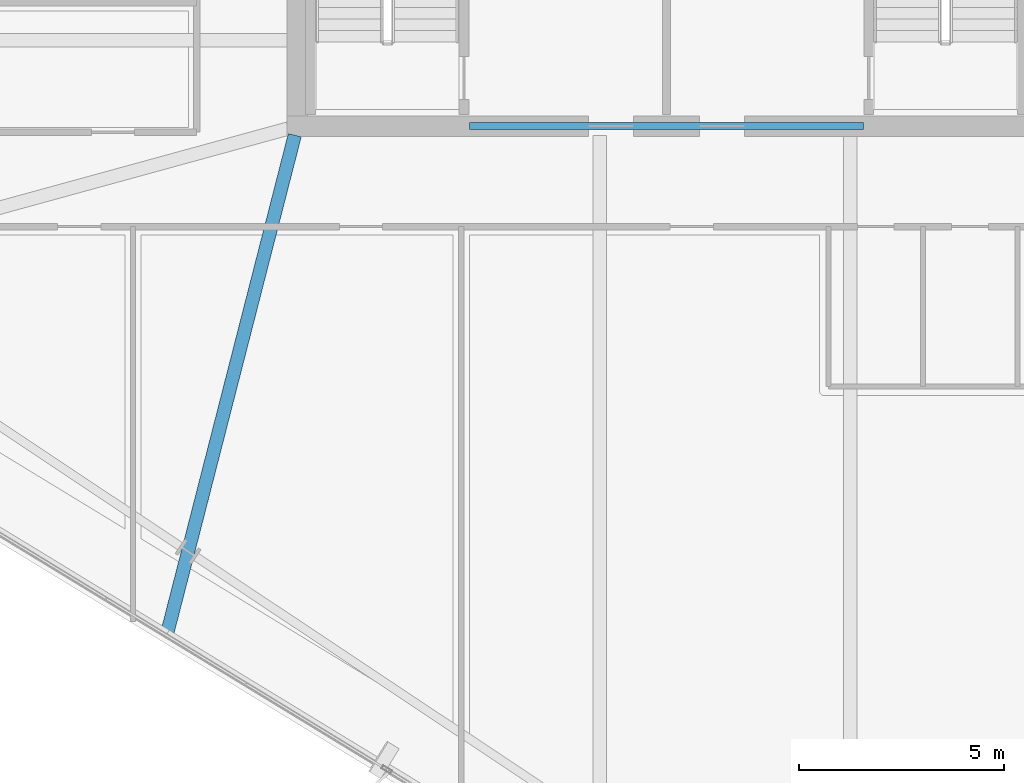
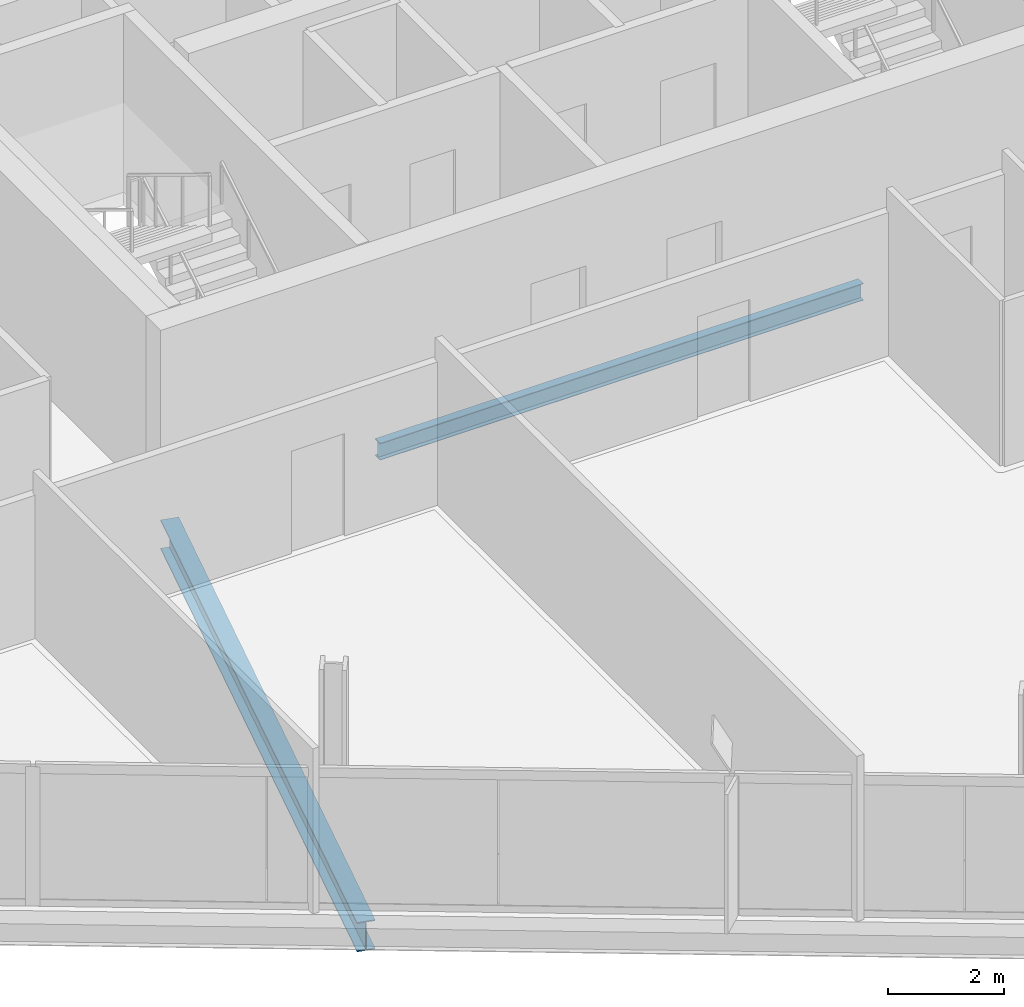
# One storey, part 7 of 28: 2 beams.
"""IFC4 building model written with IfcOpenShell, lengths in metres."""

from ifc_helpers import new_model, si_unit, direction, frame, origin, origin_2d, place, context, subcontext, project, spatial, i_section, extrude, material, material_profile, profile_set, type_object, element, save


model = new_model("IFC4")

# Units and contexts
model_context = context("Model", 3, precision=1e-05, world=origin(), true_north=direction((0.0, 1.0)))
body_context = subcontext(model_context, "Body", "Model", "MODEL_VIEW")
ifc_project = project(units=[si_unit("LENGTHUNIT", "METRE"), si_unit("AREAUNIT", "SQUARE_METRE"), si_unit("VOLUMEUNIT", "CUBIC_METRE"), si_unit("PLANEANGLEUNIT", "RADIAN"), si_unit("MASSUNIT", "GRAM", prefix="KILO")], contexts=[model_context])

# Site, building, storey
site_placement = place(None, origin())
site = spatial("IfcSite", under=ifc_project, at=site_placement, CompositionType="ELEMENT")
building_placement = place(site_placement, origin())
building = spatial("IfcBuilding", under=site, at=building_placement, Name="Haldenkirk Collegiate Tower", CompositionType="ELEMENT")
storey_placement = place(building_placement, frame((0.0, 0.0, 224.699951171875)))
storey = spatial("IfcBuildingStorey", under=building, at=storey_placement, Name="L56", CompositionType="ELEMENT", Elevation=224.699951171875)

# Beams
ifc_material = material(Name="Steel ASTM A992 Grade 50", Category="steel")
ifc_material_profile_1 = material_profile(ifc_material, i_section(OverallWidth=0.324951171875, OverallDepth=0.615966796875, WebThickness=0.013916015625, FlangeThickness=0.021484375, at=origin_2d()), Name="W24X117")
ifc_profile_set_1 = profile_set([ifc_material_profile_1], Name="Steel ASTM A992 Grade 50")
beam_type_1 = type_object("IfcBeamType", Name="BM-GIRDER-W24X117", PredefinedType="BEAM", material=ifc_profile_set_1)
beam_1_placement = place(storey_placement, frame((23.829833984375, 5.62744140625, -0.587890625), z_axis=(0.248206280081, 0.96870720165, 0.0), x_axis=(-0.96870720165, 0.248206280081, 0.0)))
element("IfcBeam", 1, at=beam_1_placement, inside=storey, type_object=beam_type_1, Name="L56 primary floor girder 15", PredefinedType="BEAM", context=body_context, shape_type="SweptSolid", body=[
    extrude(i_section(OverallWidth=0.324951171875, OverallDepth=0.615966796875, WebThickness=0.013916015625, FlangeThickness=0.021484375, at=origin_2d()), origin(), (0.0, 0.0, 1.0), 12.542236328125),
])
ifc_material_profile_2 = material_profile(ifc_material, i_section(OverallWidth=0.1708984375, OverallDepth=0.35595703125, WebThickness=0.007080078125, FlangeThickness=0.01171875, at=origin_2d()), Name="W14X34")
ifc_profile_set_2 = profile_set([ifc_material_profile_2], Name="Steel ASTM A992 Grade 50")
beam_type_2 = type_object("IfcBeamType", Name="BM-LINTEL-W14X34", PredefinedType="LINTEL", material=ifc_profile_set_2)
beam_2_placement = place(storey_placement, frame((31.199951171875, 18.0, -0.4580078125), z_axis=(1.0, 0.0, 0.0), x_axis=(0.0, 1.0, 0.0)))
element("IfcBeam", 2, at=beam_2_placement, inside=storey, type_object=beam_type_2, Name="L56 south core coupling lintel", PredefinedType="LINTEL", context=body_context, shape_type="SweptSolid", body=[
    extrude(i_section(OverallWidth=0.1708984375, OverallDepth=0.35595703125, WebThickness=0.007080078125, FlangeThickness=0.01171875, at=origin_2d()), origin(), (0.0, 0.0, 1.0), 9.60009765625),
])

save(model, "model.ifc")
